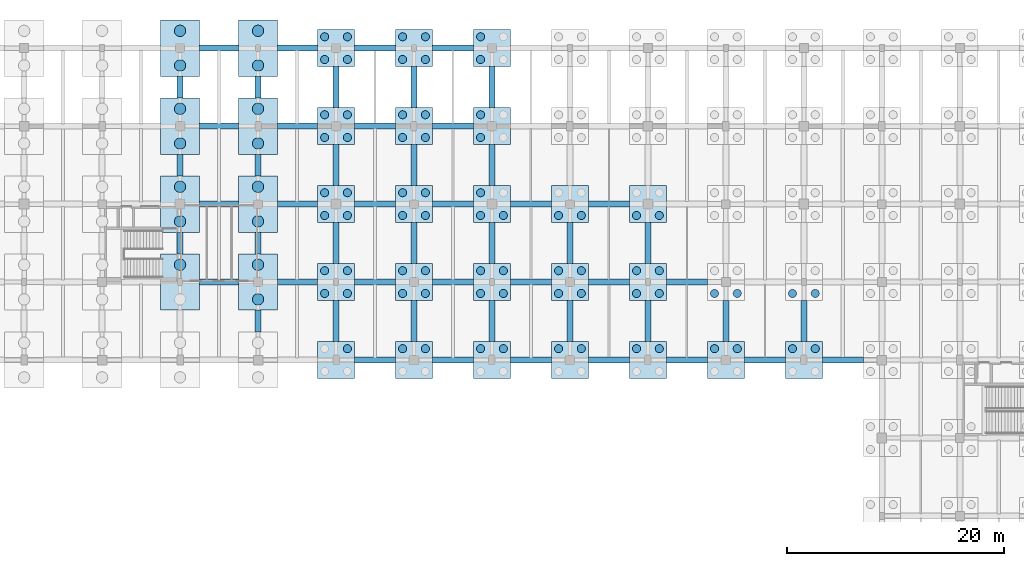
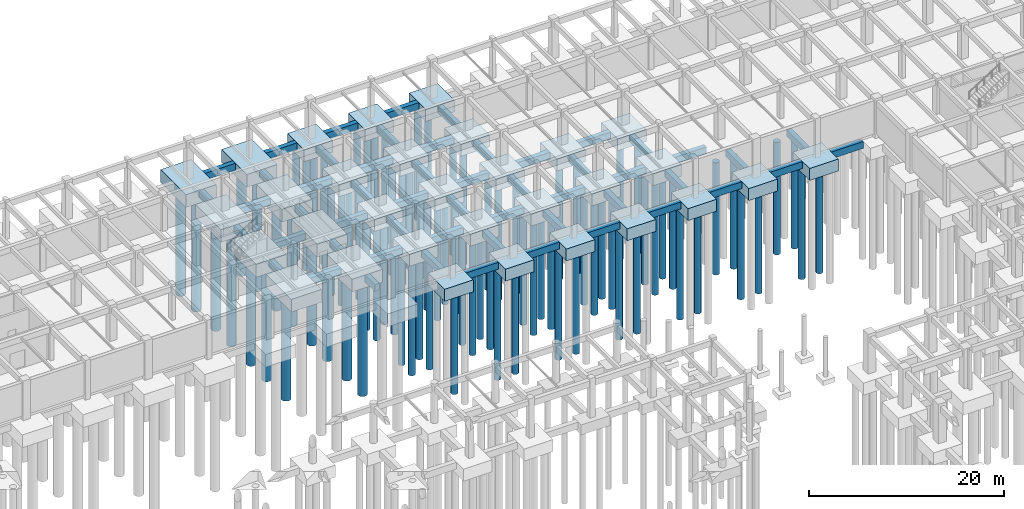
# One storey, part 9 of 47: 87 piles, 84 footings.
"""IFC4 building model written with IfcOpenShell, lengths in metres."""

from ifc_helpers import new_model, si_unit, direction, frame, origin, origin_2d, place, context, subcontext, project, spatial, rectangle, circle, extrude, material, material_profile, profile_set, type_object, element, save


model = new_model("IFC4")

# Units and contexts
model_context = context("Model", 3, precision=1e-05, world=origin(), true_north=direction((0.0, 1.0)))
body_context = subcontext(model_context, "Body", "Model", "MODEL_VIEW")
ifc_project = project(units=[si_unit("LENGTHUNIT", "METRE"), si_unit("AREAUNIT", "SQUARE_METRE"), si_unit("VOLUMEUNIT", "CUBIC_METRE"), si_unit("PLANEANGLEUNIT", "RADIAN"), si_unit("MASSUNIT", "GRAM", prefix="KILO")], contexts=[model_context])

# Site, building, storey
site_placement = place(None, origin())
site = spatial("IfcSite", under=ifc_project, at=site_placement, CompositionType="ELEMENT")
building_placement = place(site_placement, origin())
building = spatial("IfcBuilding", under=site, at=building_placement, Name="Thalmaran Polytechnic", CompositionType="ELEMENT")
storey_placement = place(building_placement, frame((0.0, 0.0, -4.5)))
storey = spatial("IfcBuildingStorey", under=building, at=storey_placement, Name="B1", CompositionType="ELEMENT", Elevation=-4.5)

# Footings
ifc_material_1 = material(Name="Concrete C40/50", Category="concrete")
ifc_material_profile_1 = material_profile(ifc_material_1, rectangle(XDim=0.550048828125, YDim=0.85009765625, at=origin_2d()), Name="RC 550x850")
ifc_profile_set_1 = profile_set([ifc_material_profile_1], Name="Concrete C40/50")
footing_type_1 = type_object("IfcFootingType", Name="FN-GB01", PredefinedType="FOOTING_BEAM", material=ifc_profile_set_1)
footing_1_placement = place(storey_placement, frame((66.60009765625, 100.800048828125, -0.875), z_axis=(1.0, 0.0, 0.0), x_axis=(0.0, 1.0, 0.0)))
element("IfcFooting", 1, at=footing_1_placement, inside=storey, type_object=footing_type_1, Name="Ground Tie Beam B1 X (9,14)", PredefinedType="FOOTING_BEAM", context=body_context, shape_type="SweptSolid", body=[
    extrude(rectangle(XDim=0.550048828125, YDim=0.85009765625, at=origin_2d()), origin(), (0.0, 0.0, 1.0), 3.599853515625),
])
footing_2_placement = place(storey_placement, frame((64.800048828125, 103.39990234375, -0.875), z_axis=(0.0, 1.0, 0.0), x_axis=(-1.0, 0.0, 0.0)))
element("IfcFooting", 2, at=footing_2_placement, inside=storey, type_object=footing_type_1, Name="Ground Tie Beam B1 Y (9,14)", PredefinedType="FOOTING_BEAM", context=body_context, shape_type="SweptSolid", body=[
    extrude(rectangle(XDim=0.550048828125, YDim=0.85009765625, at=origin_2d()), origin(), (0.0, 0.0, 1.0), 2.0),
])
footing_3_placement = place(storey_placement, frame((66.60009765625, 108.0, -0.875), z_axis=(1.0, 0.0, 0.0), x_axis=(0.0, 1.0, 0.0)))
element("IfcFooting", 3, at=footing_3_placement, inside=storey, type_object=footing_type_1, Name="Ground Tie Beam B1 X (9,15)", PredefinedType="FOOTING_BEAM", context=body_context, shape_type="SweptSolid", body=[
    extrude(rectangle(XDim=0.550048828125, YDim=0.85009765625, at=origin_2d()), origin(), (0.0, 0.0, 1.0), 3.599853515625),
])
footing_4_placement = place(storey_placement, frame((64.800048828125, 110.60009765625, -0.875), z_axis=(0.0, 1.0, 0.0), x_axis=(-1.0, 0.0, 0.0)))
element("IfcFooting", 4, at=footing_4_placement, inside=storey, type_object=footing_type_1, Name="Ground Tie Beam B1 Y (9,15)", PredefinedType="FOOTING_BEAM", context=body_context, shape_type="SweptSolid", body=[
    extrude(rectangle(XDim=0.550048828125, YDim=0.85009765625, at=origin_2d()), origin(), (0.0, 0.0, 1.0), 2.0),
])
footing_5_placement = place(storey_placement, frame((66.60009765625, 115.199951171875, -0.875), z_axis=(1.0, 0.0, 0.0), x_axis=(0.0, 1.0, 0.0)))
element("IfcFooting", 5, at=footing_5_placement, inside=storey, type_object=footing_type_1, Name="Ground Tie Beam B1 X (9,16)", PredefinedType="FOOTING_BEAM", context=body_context, shape_type="SweptSolid", body=[
    extrude(rectangle(XDim=0.550048828125, YDim=0.85009765625, at=origin_2d()), origin(), (0.0, 0.0, 1.0), 3.599853515625),
])
footing_6_placement = place(storey_placement, frame((64.800048828125, 117.800048828125, -0.875), z_axis=(0.0, 1.0, 0.0), x_axis=(-1.0, 0.0, 0.0)))
element("IfcFooting", 6, at=footing_6_placement, inside=storey, type_object=footing_type_1, Name="Ground Tie Beam B1 Y (9,16)", PredefinedType="FOOTING_BEAM", context=body_context, shape_type="SweptSolid", body=[
    extrude(rectangle(XDim=0.550048828125, YDim=0.85009765625, at=origin_2d()), origin(), (0.0, 0.0, 1.0), 2.0),
])
footing_7_placement = place(storey_placement, frame((66.60009765625, 122.39990234375, -0.875), z_axis=(1.0, 0.0, 0.0), x_axis=(0.0, 1.0, 0.0)))
element("IfcFooting", 7, at=footing_7_placement, inside=storey, type_object=footing_type_1, Name="Ground Tie Beam B1 X (9,17)", PredefinedType="FOOTING_BEAM", context=body_context, shape_type="SweptSolid", body=[
    extrude(rectangle(XDim=0.550048828125, YDim=0.85009765625, at=origin_2d()), origin(), (0.0, 0.0, 1.0), 3.599853515625),
])
footing_8_placement = place(storey_placement, frame((72.0, 96.199951171875, -0.875), z_axis=(0.0, 1.0, 0.0), x_axis=(-1.0, 0.0, 0.0)))
element("IfcFooting", 8, at=footing_8_placement, inside=storey, type_object=footing_type_1, Name="Ground Tie Beam B1 Y (10,13)", PredefinedType="FOOTING_BEAM", context=body_context, shape_type="SweptSolid", body=[
    extrude(rectangle(XDim=0.550048828125, YDim=0.85009765625, at=origin_2d()), origin(), (0.0, 0.0, 1.0), 2.0),
])
footing_9_placement = place(storey_placement, frame((73.800048828125, 100.800048828125, -0.875), z_axis=(1.0, 0.0, 0.0), x_axis=(0.0, 1.0, 0.0)))
element("IfcFooting", 9, at=footing_9_placement, inside=storey, type_object=footing_type_1, Name="Ground Tie Beam B1 X (10,14)", PredefinedType="FOOTING_BEAM", context=body_context, shape_type="SweptSolid", body=[
    extrude(rectangle(XDim=0.550048828125, YDim=0.85009765625, at=origin_2d()), origin(), (0.0, 0.0, 1.0), 3.699951171875),
])
footing_10_placement = place(storey_placement, frame((72.0, 103.39990234375, -0.875), z_axis=(0.0, 1.0, 0.0), x_axis=(-1.0, 0.0, 0.0)))
element("IfcFooting", 10, at=footing_10_placement, inside=storey, type_object=footing_type_1, Name="Ground Tie Beam B1 Y (10,14)", PredefinedType="FOOTING_BEAM", context=body_context, shape_type="SweptSolid", body=[
    extrude(rectangle(XDim=0.550048828125, YDim=0.85009765625, at=origin_2d()), origin(), (0.0, 0.0, 1.0), 2.0),
])
footing_11_placement = place(storey_placement, frame((73.800048828125, 108.0, -0.875), z_axis=(1.0, 0.0, 0.0), x_axis=(0.0, 1.0, 0.0)))
element("IfcFooting", 11, at=footing_11_placement, inside=storey, type_object=footing_type_1, Name="Ground Tie Beam B1 X (10,15)", PredefinedType="FOOTING_BEAM", context=body_context, shape_type="SweptSolid", body=[
    extrude(rectangle(XDim=0.550048828125, YDim=0.85009765625, at=origin_2d()), origin(), (0.0, 0.0, 1.0), 3.699951171875),
])
footing_12_placement = place(storey_placement, frame((72.0, 110.60009765625, -0.875), z_axis=(0.0, 1.0, 0.0), x_axis=(-1.0, 0.0, 0.0)))
element("IfcFooting", 12, at=footing_12_placement, inside=storey, type_object=footing_type_1, Name="Ground Tie Beam B1 Y (10,15)", PredefinedType="FOOTING_BEAM", context=body_context, shape_type="SweptSolid", body=[
    extrude(rectangle(XDim=0.550048828125, YDim=0.85009765625, at=origin_2d()), origin(), (0.0, 0.0, 1.0), 2.0),
])
footing_13_placement = place(storey_placement, frame((73.800048828125, 115.199951171875, -0.875), z_axis=(1.0, 0.0, 0.0), x_axis=(0.0, 1.0, 0.0)))
element("IfcFooting", 13, at=footing_13_placement, inside=storey, type_object=footing_type_1, Name="Ground Tie Beam B1 X (10,16)", PredefinedType="FOOTING_BEAM", context=body_context, shape_type="SweptSolid", body=[
    extrude(rectangle(XDim=0.550048828125, YDim=0.85009765625, at=origin_2d()), origin(), (0.0, 0.0, 1.0), 3.699951171875),
])
footing_14_placement = place(storey_placement, frame((72.0, 117.800048828125, -0.875), z_axis=(0.0, 1.0, 0.0), x_axis=(-1.0, 0.0, 0.0)))
element("IfcFooting", 14, at=footing_14_placement, inside=storey, type_object=footing_type_1, Name="Ground Tie Beam B1 Y (10,16)", PredefinedType="FOOTING_BEAM", context=body_context, shape_type="SweptSolid", body=[
    extrude(rectangle(XDim=0.550048828125, YDim=0.85009765625, at=origin_2d()), origin(), (0.0, 0.0, 1.0), 2.0),
])
footing_15_placement = place(storey_placement, frame((73.800048828125, 122.39990234375, -0.875), z_axis=(1.0, 0.0, 0.0), x_axis=(0.0, 1.0, 0.0)))
element("IfcFooting", 15, at=footing_15_placement, inside=storey, type_object=footing_type_1, Name="Ground Tie Beam B1 X (10,17)", PredefinedType="FOOTING_BEAM", context=body_context, shape_type="SweptSolid", body=[
    extrude(rectangle(XDim=0.550048828125, YDim=0.85009765625, at=origin_2d()), origin(), (0.0, 0.0, 1.0), 3.699951171875),
])
for number, where, z_axis, x_axis, name in (
    (16, (80.89990234375, 93.60009765625, -0.875), (1.0, 0.0, 0.0), (0.0, 1.0, 0.0), "Ground Tie Beam B1 X (11,13)"),
    (17, (79.199951171875, 95.300048828125, -0.875), (0.0, 1.0, 0.0), (-1.0, 0.0, 0.0), "Ground Tie Beam B1 Y (11,13)"),
    (18, (80.89990234375, 100.800048828125, -0.875), (1.0, 0.0, 0.0), (0.0, 1.0, 0.0), "Ground Tie Beam B1 X (11,14)"),
    (19, (79.199951171875, 102.5, -0.875), (0.0, 1.0, 0.0), (-1.0, 0.0, 0.0), "Ground Tie Beam B1 Y (11,14)"),
    (20, (80.89990234375, 108.0, -0.875), (1.0, 0.0, 0.0), (0.0, 1.0, 0.0), "Ground Tie Beam B1 X (11,15)"),
    (21, (79.199951171875, 109.699951171875, -0.875), (0.0, 1.0, 0.0), (-1.0, 0.0, 0.0), "Ground Tie Beam B1 Y (11,15)"),
    (22, (80.89990234375, 115.199951171875, -0.875), (1.0, 0.0, 0.0), (0.0, 1.0, 0.0), "Ground Tie Beam B1 X (11,16)"),
    (23, (79.199951171875, 116.89990234375, -0.875), (0.0, 1.0, 0.0), (-1.0, 0.0, 0.0), "Ground Tie Beam B1 Y (11,16)"),
    (24, (80.89990234375, 122.39990234375, -0.875), (1.0, 0.0, 0.0), (0.0, 1.0, 0.0), "Ground Tie Beam B1 X (11,17)"),
):
    element("IfcFooting", number, at=place(storey_placement, frame(where, z_axis=z_axis, x_axis=x_axis)), inside=storey, type_object=footing_type_1, Name=name, PredefinedType="FOOTING_BEAM", context=body_context, shape_type="SweptSolid", body=[
        extrude(rectangle(XDim=0.550048828125, YDim=0.85009765625, at=origin_2d()), origin(), (0.0, 0.0, 1.0), 3.800048828125),
    ])
footing_16_placement = place(storey_placement, frame((88.10009765625, 93.60009765625, -0.875), z_axis=(1.0, 0.0, 0.0), x_axis=(0.0, 1.0, 0.0)))
element("IfcFooting", 25, at=footing_16_placement, inside=storey, type_object=footing_type_1, Name="Ground Tie Beam B1 X (12,13)", PredefinedType="FOOTING_BEAM", context=body_context, shape_type="SweptSolid", body=[
    extrude(rectangle(XDim=0.550048828125, YDim=0.85009765625, at=origin_2d()), origin(), (0.0, 0.0, 1.0), 3.7998046875),
])
footing_17_placement = place(storey_placement, frame((86.39990234375, 95.300048828125, -0.875), z_axis=(0.0, 1.0, 0.0), x_axis=(-1.0, 0.0, 0.0)))
element("IfcFooting", 26, at=footing_17_placement, inside=storey, type_object=footing_type_1, Name="Ground Tie Beam B1 Y (12,13)", PredefinedType="FOOTING_BEAM", context=body_context, shape_type="SweptSolid", body=[
    extrude(rectangle(XDim=0.550048828125, YDim=0.85009765625, at=origin_2d()), origin(), (0.0, 0.0, 1.0), 3.800048828125),
])
footing_18_placement = place(storey_placement, frame((88.10009765625, 100.800048828125, -0.875), z_axis=(1.0, 0.0, 0.0), x_axis=(0.0, 1.0, 0.0)))
element("IfcFooting", 27, at=footing_18_placement, inside=storey, type_object=footing_type_1, Name="Ground Tie Beam B1 X (12,14)", PredefinedType="FOOTING_BEAM", context=body_context, shape_type="SweptSolid", body=[
    extrude(rectangle(XDim=0.550048828125, YDim=0.85009765625, at=origin_2d()), origin(), (0.0, 0.0, 1.0), 3.7998046875),
])
footing_19_placement = place(storey_placement, frame((86.39990234375, 102.5, -0.875), z_axis=(0.0, 1.0, 0.0), x_axis=(-1.0, 0.0, 0.0)))
element("IfcFooting", 28, at=footing_19_placement, inside=storey, type_object=footing_type_1, Name="Ground Tie Beam B1 Y (12,14)", PredefinedType="FOOTING_BEAM", context=body_context, shape_type="SweptSolid", body=[
    extrude(rectangle(XDim=0.550048828125, YDim=0.85009765625, at=origin_2d()), origin(), (0.0, 0.0, 1.0), 3.800048828125),
])
footing_20_placement = place(storey_placement, frame((88.10009765625, 108.0, -0.875), z_axis=(1.0, 0.0, 0.0), x_axis=(0.0, 1.0, 0.0)))
element("IfcFooting", 29, at=footing_20_placement, inside=storey, type_object=footing_type_1, Name="Ground Tie Beam B1 X (12,15)", PredefinedType="FOOTING_BEAM", context=body_context, shape_type="SweptSolid", body=[
    extrude(rectangle(XDim=0.550048828125, YDim=0.85009765625, at=origin_2d()), origin(), (0.0, 0.0, 1.0), 3.7998046875),
])
footing_21_placement = place(storey_placement, frame((86.39990234375, 109.699951171875, -0.875), z_axis=(0.0, 1.0, 0.0), x_axis=(-1.0, 0.0, 0.0)))
element("IfcFooting", 30, at=footing_21_placement, inside=storey, type_object=footing_type_1, Name="Ground Tie Beam B1 Y (12,15)", PredefinedType="FOOTING_BEAM", context=body_context, shape_type="SweptSolid", body=[
    extrude(rectangle(XDim=0.550048828125, YDim=0.85009765625, at=origin_2d()), origin(), (0.0, 0.0, 1.0), 3.800048828125),
])
footing_22_placement = place(storey_placement, frame((88.10009765625, 115.199951171875, -0.875), z_axis=(1.0, 0.0, 0.0), x_axis=(0.0, 1.0, 0.0)))
element("IfcFooting", 31, at=footing_22_placement, inside=storey, type_object=footing_type_1, Name="Ground Tie Beam B1 X (12,16)", PredefinedType="FOOTING_BEAM", context=body_context, shape_type="SweptSolid", body=[
    extrude(rectangle(XDim=0.550048828125, YDim=0.85009765625, at=origin_2d()), origin(), (0.0, 0.0, 1.0), 3.7998046875),
])
footing_23_placement = place(storey_placement, frame((86.39990234375, 116.89990234375, -0.875), z_axis=(0.0, 1.0, 0.0), x_axis=(-1.0, 0.0, 0.0)))
element("IfcFooting", 32, at=footing_23_placement, inside=storey, type_object=footing_type_1, Name="Ground Tie Beam B1 Y (12,16)", PredefinedType="FOOTING_BEAM", context=body_context, shape_type="SweptSolid", body=[
    extrude(rectangle(XDim=0.550048828125, YDim=0.85009765625, at=origin_2d()), origin(), (0.0, 0.0, 1.0), 3.800048828125),
])
footing_24_placement = place(storey_placement, frame((88.10009765625, 122.39990234375, -0.875), z_axis=(1.0, 0.0, 0.0), x_axis=(0.0, 1.0, 0.0)))
element("IfcFooting", 33, at=footing_24_placement, inside=storey, type_object=footing_type_1, Name="Ground Tie Beam B1 X (12,17)", PredefinedType="FOOTING_BEAM", context=body_context, shape_type="SweptSolid", body=[
    extrude(rectangle(XDim=0.550048828125, YDim=0.85009765625, at=origin_2d()), origin(), (0.0, 0.0, 1.0), 3.7998046875),
])
for number, where, z_axis, x_axis, name in (
    (34, (95.300048828125, 93.60009765625, -0.875), (1.0, 0.0, 0.0), (0.0, 1.0, 0.0), "Ground Tie Beam B1 X (13,13)"),
    (35, (93.60009765625, 95.300048828125, -0.875), (0.0, 1.0, 0.0), (-1.0, 0.0, 0.0), "Ground Tie Beam B1 Y (13,13)"),
    (36, (95.300048828125, 100.800048828125, -0.875), (1.0, 0.0, 0.0), (0.0, 1.0, 0.0), "Ground Tie Beam B1 X (13,14)"),
    (37, (93.60009765625, 102.5, -0.875), (0.0, 1.0, 0.0), (-1.0, 0.0, 0.0), "Ground Tie Beam B1 Y (13,14)"),
    (38, (95.300048828125, 108.0, -0.875), (1.0, 0.0, 0.0), (0.0, 1.0, 0.0), "Ground Tie Beam B1 X (13,15)"),
    (39, (93.60009765625, 109.699951171875, -0.875), (0.0, 1.0, 0.0), (-1.0, 0.0, 0.0), "Ground Tie Beam B1 Y (13,15)"),
    (40, (93.60009765625, 116.89990234375, -0.875), (0.0, 1.0, 0.0), (-1.0, 0.0, 0.0), "Ground Tie Beam B1 Y (13,16)"),
    (41, (102.5, 93.60009765625, -0.875), (1.0, 0.0, 0.0), (0.0, 1.0, 0.0), "Ground Tie Beam B1 X (14,13)"),
    (42, (100.800048828125, 95.300048828125, -0.875), (0.0, 1.0, 0.0), (-1.0, 0.0, 0.0), "Ground Tie Beam B1 Y (14,13)"),
    (43, (102.5, 100.800048828125, -0.875), (1.0, 0.0, 0.0), (0.0, 1.0, 0.0), "Ground Tie Beam B1 X (14,14)"),
    (44, (100.800048828125, 102.5, -0.875), (0.0, 1.0, 0.0), (-1.0, 0.0, 0.0), "Ground Tie Beam B1 Y (14,14)"),
    (45, (102.5, 108.0, -0.875), (1.0, 0.0, 0.0), (0.0, 1.0, 0.0), "Ground Tie Beam B1 X (14,15)"),
    (46, (109.699951171875, 93.60009765625, -0.875), (1.0, 0.0, 0.0), (0.0, 1.0, 0.0), "Ground Tie Beam B1 X (15,13)"),
    (47, (108.0, 95.300048828125, -0.875), (0.0, 1.0, 0.0), (-1.0, 0.0, 0.0), "Ground Tie Beam B1 Y (15,13)"),
    (48, (109.699951171875, 100.800048828125, -0.875), (1.0, 0.0, 0.0), (0.0, 1.0, 0.0), "Ground Tie Beam B1 X (15,14)"),
    (49, (108.0, 102.5, -0.875), (0.0, 1.0, 0.0), (-1.0, 0.0, 0.0), "Ground Tie Beam B1 Y (15,14)"),
    (50, (116.89990234375, 93.60009765625, -0.875), (1.0, 0.0, 0.0), (0.0, 1.0, 0.0), "Ground Tie Beam B1 X (16,13)"),
    (51, (115.199951171875, 95.300048828125, -0.875), (0.0, 1.0, 0.0), (-1.0, 0.0, 0.0), "Ground Tie Beam B1 Y (16,13)"),
):
    element("IfcFooting", number, at=place(storey_placement, frame(where, z_axis=z_axis, x_axis=x_axis)), inside=storey, type_object=footing_type_1, Name=name, PredefinedType="FOOTING_BEAM", context=body_context, shape_type="SweptSolid", body=[
        extrude(rectangle(XDim=0.550048828125, YDim=0.85009765625, at=origin_2d()), origin(), (0.0, 0.0, 1.0), 3.800048828125),
    ])
footing_25_placement = place(storey_placement, frame((124.10009765625, 93.60009765625, -0.875), z_axis=(1.0, 0.0, 0.0), x_axis=(0.0, 1.0, 0.0)))
element("IfcFooting", 52, at=footing_25_placement, inside=storey, type_object=footing_type_1, Name="Ground Tie Beam B1 X (17,13)", PredefinedType="FOOTING_BEAM", context=body_context, shape_type="SweptSolid", body=[
    extrude(rectangle(XDim=0.550048828125, YDim=0.85009765625, at=origin_2d()), origin(), (0.0, 0.0, 1.0), 3.7998046875),
])
footing_26_placement = place(storey_placement, frame((122.39990234375, 95.300048828125, -0.875), z_axis=(0.0, 1.0, 0.0), x_axis=(-1.0, 0.0, 0.0)))
element("IfcFooting", 53, at=footing_26_placement, inside=storey, type_object=footing_type_1, Name="Ground Tie Beam B1 Y (17,13)", PredefinedType="FOOTING_BEAM", context=body_context, shape_type="SweptSolid", body=[
    extrude(rectangle(XDim=0.550048828125, YDim=0.85009765625, at=origin_2d()), origin(), (0.0, 0.0, 1.0), 3.800048828125),
])
footing_type_2 = type_object("IfcFootingType", Name="FN-PC01", PredefinedType="PILE_CAP", material=ifc_material_1)
for number, where, z_axis, x_axis, name in (
    (54, (79.199951171875, 93.60009765625, -1.949951171875), (0.0, 0.0, 1.0), (1.0, 0.0, 0.0), "Pile Cap PC01 (11,13)"),
    (55, (79.199951171875, 100.800048828125, -1.949951171875), (0.0, 0.0, 1.0), (1.0, 0.0, 0.0), "Pile Cap PC01 (11,14)"),
    (56, (79.199951171875, 108.0, -1.949951171875), (0.0, 0.0, 1.0), (1.0, 0.0, 0.0), "Pile Cap PC01 (11,15)"),
    (57, (79.199951171875, 115.199951171875, -1.949951171875), (0.0, 0.0, 1.0), (1.0, 0.0, 0.0), "Pile Cap PC01 (11,16)"),
    (58, (79.199951171875, 122.39990234375, -1.949951171875), (0.0, 0.0, 1.0), (1.0, 0.0, 0.0), "Pile Cap PC01 (11,17)"),
    (59, (86.39990234375, 93.60009765625, -1.949951171875), (0.0, 0.0, 1.0), (1.0, 0.0, 0.0), "Pile Cap PC01 (12,13)"),
    (60, (86.39990234375, 100.800048828125, -1.949951171875), (0.0, 0.0, 1.0), (1.0, 0.0, 0.0), "Pile Cap PC01 (12,14)"),
    (61, (86.39990234375, 108.0, -1.949951171875), (0.0, 0.0, 1.0), (1.0, 0.0, 0.0), "Pile Cap PC01 (12,15)"),
    (62, (86.39990234375, 115.199951171875, -1.949951171875), (0.0, 0.0, 1.0), (1.0, 0.0, 0.0), "Pile Cap PC01 (12,16)"),
    (63, (86.39990234375, 122.39990234375, -1.949951171875), (0.0, 0.0, 1.0), (1.0, 0.0, 0.0), "Pile Cap PC01 (12,17)"),
    (64, (93.60009765625, 93.60009765625, -1.949951171875), (0.0, 0.0, 1.0), (1.0, 0.0, 0.0), "Pile Cap PC01 (13,13)"),
    (65, (93.60009765625, 100.800048828125, -1.949951171875), (0.0, 0.0, 1.0), (1.0, 0.0, 0.0), "Pile Cap PC01 (13,14)"),
    (66, (93.60009765625, 108.0, -1.949951171875), (0.0, 0.0, 1.0), (1.0, 0.0, 0.0), "Pile Cap PC01 (13,15)"),
    (67, (93.60009765625, 115.199951171875, -1.949951171875), (0.0, 0.0, 1.0), (1.0, 0.0, 0.0), "Pile Cap PC01 (13,16)"),
    (68, (93.60009765625, 122.39990234375, -1.949951171875), (0.0, 0.0, 1.0), (1.0, 0.0, 0.0), "Pile Cap PC01 (13,17)"),
    (69, (100.800048828125, 93.60009765625, -1.949951171875), (0.0, 0.0, 1.0), (1.0, 0.0, 0.0), "Pile Cap PC01 (14,13)"),
    (70, (100.800048828125, 100.800048828125, -1.949951171875), (0.0, 0.0, 1.0), (1.0, 0.0, 0.0), "Pile Cap PC01 (14,14)"),
    (71, (100.800048828125, 108.0, -1.949951171875), (0.0, 0.0, 1.0), (1.0, 0.0, 0.0), "Pile Cap PC01 (14,15)"),
    (72, (108.0, 93.60009765625, -1.949951171875), (0.0, 0.0, 1.0), (1.0, 0.0, 0.0), "Pile Cap PC01 (15,13)"),
    (73, (108.0, 100.800048828125, -1.949951171875), (0.0, 0.0, 1.0), (1.0, 0.0, 0.0), "Pile Cap PC01 (15,14)"),
    (74, (108.0, 108.0, -1.949951171875), (0.0, 0.0, 1.0), (1.0, 0.0, 0.0), "Pile Cap PC01 (15,15)"),
    (75, (115.199951171875, 93.60009765625, -1.949951171875), (0.0, 0.0, 1.0), (1.0, 0.0, 0.0), "Pile Cap PC01 (16,13)"),
    (76, (122.39990234375, 93.60009765625, -1.949951171875), (0.0, 0.0, 1.0), (1.0, 0.0, 0.0), "Pile Cap PC01 (17,13)"),
):
    element("IfcFooting", number, at=place(storey_placement, frame(where, z_axis=z_axis, x_axis=x_axis)), inside=storey, type_object=footing_type_2, Name=name, PredefinedType="PILE_CAP", context=body_context, shape_type="SweptSolid", body=[
        extrude(rectangle(XDim=3.39990234375, YDim=3.39990234375, at=origin_2d()), origin(), (0.0, 0.0, 1.0), 1.5),
    ])
footing_type_3 = type_object("IfcFootingType", Name="FN-PC08", PredefinedType="PILE_CAP", material=ifc_material_1)
for number, where, z_axis, x_axis, name in (
    (77, (64.800048828125, 100.800048828125, -2.050048828125), (0.0, 0.0, 1.0), (1.0, 0.0, 0.0), "Pile Cap PC08 (9,14)"),
    (78, (64.800048828125, 108.0, -2.050048828125), (0.0, 0.0, 1.0), (1.0, 0.0, 0.0), "Pile Cap PC08 (9,15)"),
    (79, (64.800048828125, 115.199951171875, -2.050048828125), (0.0, 0.0, 1.0), (1.0, 0.0, 0.0), "Pile Cap PC08 (9,16)"),
    (80, (64.800048828125, 122.39990234375, -2.050048828125), (0.0, 0.0, 1.0), (1.0, 0.0, 0.0), "Pile Cap PC08 (9,17)"),
    (81, (72.0, 100.800048828125, -2.050048828125), (0.0, 0.0, 1.0), (1.0, 0.0, 0.0), "Pile Cap PC08 (10,14)"),
    (82, (72.0, 108.0, -2.050048828125), (0.0, 0.0, 1.0), (1.0, 0.0, 0.0), "Pile Cap PC08 (10,15)"),
    (83, (72.0, 115.199951171875, -2.050048828125), (0.0, 0.0, 1.0), (1.0, 0.0, 0.0), "Pile Cap PC08 (10,16)"),
    (84, (72.0, 122.39990234375, -2.050048828125), (0.0, 0.0, 1.0), (1.0, 0.0, 0.0), "Pile Cap PC08 (10,17)"),
):
    element("IfcFooting", number, at=place(storey_placement, frame(where, z_axis=z_axis, x_axis=x_axis)), inside=storey, type_object=footing_type_3, Name=name, PredefinedType="PILE_CAP", context=body_context, shape_type="SweptSolid", body=[
        extrude(rectangle(XDim=3.60009765625, YDim=5.199951171875, at=origin_2d()), origin(), (0.0, 0.0, 1.0), 1.60009765625),
    ])

# Piles
ifc_material_2 = material(Name="Concrete C35/45", Category="concrete")
ifc_material_profile_2 = material_profile(ifc_material_2, circle(Radius=0.52490234375, at=origin_2d()), Name="RC 1050 DIA")
ifc_profile_set_2 = profile_set([ifc_material_profile_2], Name="Concrete C35/45")
pile_type_1 = type_object("IfcPileType", Name="PL-BP01", PredefinedType="BORED", material=ifc_profile_set_2)
for number, where, z_axis, x_axis, name in (
    (85, (64.800048828125, 102.39990234375, -2.050048828125), (0.0, 0.0, -1.0), (1.0, 0.0, 0.0), "Bored Pile BP01 (9,14)-2"),
    (86, (64.800048828125, 106.39990234375, -2.050048828125), (0.0, 0.0, -1.0), (1.0, 0.0, 0.0), "Bored Pile BP01 (9,15)-1"),
    (87, (64.800048828125, 109.60009765625, -2.050048828125), (0.0, 0.0, -1.0), (1.0, 0.0, 0.0), "Bored Pile BP01 (9,15)-2"),
    (88, (64.800048828125, 113.60009765625, -2.050048828125), (0.0, 0.0, -1.0), (1.0, 0.0, 0.0), "Bored Pile BP01 (9,16)-1"),
    (89, (64.800048828125, 116.800048828125, -2.050048828125), (0.0, 0.0, -1.0), (1.0, 0.0, 0.0), "Bored Pile BP01 (9,16)-2"),
    (90, (64.800048828125, 120.800048828125, -2.050048828125), (0.0, 0.0, -1.0), (1.0, 0.0, 0.0), "Bored Pile BP01 (9,17)-1"),
    (91, (64.800048828125, 124.0, -2.050048828125), (0.0, 0.0, -1.0), (1.0, 0.0, 0.0), "Bored Pile BP01 (9,17)-2"),
    (92, (72.0, 99.199951171875, -2.050048828125), (0.0, 0.0, -1.0), (1.0, 0.0, 0.0), "Bored Pile BP01 (10,14)-1"),
    (93, (72.0, 102.39990234375, -2.050048828125), (0.0, 0.0, -1.0), (1.0, 0.0, 0.0), "Bored Pile BP01 (10,14)-2"),
    (94, (72.0, 106.39990234375, -2.050048828125), (0.0, 0.0, -1.0), (1.0, 0.0, 0.0), "Bored Pile BP01 (10,15)-1"),
    (95, (72.0, 109.60009765625, -2.050048828125), (0.0, 0.0, -1.0), (1.0, 0.0, 0.0), "Bored Pile BP01 (10,15)-2"),
    (96, (72.0, 113.60009765625, -2.050048828125), (0.0, 0.0, -1.0), (1.0, 0.0, 0.0), "Bored Pile BP01 (10,16)-1"),
    (97, (72.0, 116.800048828125, -2.050048828125), (0.0, 0.0, -1.0), (1.0, 0.0, 0.0), "Bored Pile BP01 (10,16)-2"),
    (98, (72.0, 120.800048828125, -2.050048828125), (0.0, 0.0, -1.0), (1.0, 0.0, 0.0), "Bored Pile BP01 (10,17)-1"),
    (99, (72.0, 124.0, -2.050048828125), (0.0, 0.0, -1.0), (1.0, 0.0, 0.0), "Bored Pile BP01 (10,17)-2"),
):
    element("IfcPile", number, at=place(storey_placement, frame(where, z_axis=z_axis, x_axis=x_axis)), inside=storey, type_object=pile_type_1, Name=name, PredefinedType="BORED", context=body_context, shape_type="SweptSolid", body=[
        extrude(circle(Radius=0.52490234375, at=origin_2d()), origin(), (0.0, 0.0, 1.0), 13.949951171875),
    ])
ifc_material_profile_3 = material_profile(ifc_material_2, circle(Radius=0.375, at=origin_2d()), Name="RC 750 DIA")
ifc_profile_set_3 = profile_set([ifc_material_profile_3], Name="Concrete C35/45")
pile_type_2 = type_object("IfcPileType", Name="PL-BP03", PredefinedType="BORED", material=ifc_profile_set_3)
for number, where, z_axis, x_axis, name in (
    (100, (80.25, 94.64990234375, -1.949951171875), (0.0, 0.0, -1.0), (1.0, 0.0, 0.0), "Bored Pile BP03 (11,13)-4"),
    (101, (78.14990234375, 99.75, -1.949951171875), (0.0, 0.0, -1.0), (1.0, 0.0, 0.0), "Bored Pile BP03 (11,14)-1"),
    (102, (78.14990234375, 101.85009765625, -1.949951171875), (0.0, 0.0, -1.0), (1.0, 0.0, 0.0), "Bored Pile BP03 (11,14)-2"),
    (103, (80.25, 99.75, -1.949951171875), (0.0, 0.0, -1.0), (1.0, 0.0, 0.0), "Bored Pile BP03 (11,14)-3"),
    (104, (80.25, 101.85009765625, -1.949951171875), (0.0, 0.0, -1.0), (1.0, 0.0, 0.0), "Bored Pile BP03 (11,14)-4"),
    (105, (78.14990234375, 106.949951171875, -1.949951171875), (0.0, 0.0, -1.0), (1.0, 0.0, 0.0), "Bored Pile BP03 (11,15)-1"),
    (106, (78.14990234375, 109.050048828125, -1.949951171875), (0.0, 0.0, -1.0), (1.0, 0.0, 0.0), "Bored Pile BP03 (11,15)-2"),
    (107, (80.25, 106.949951171875, -1.949951171875), (0.0, 0.0, -1.0), (1.0, 0.0, 0.0), "Bored Pile BP03 (11,15)-3"),
    (108, (80.25, 109.050048828125, -1.949951171875), (0.0, 0.0, -1.0), (1.0, 0.0, 0.0), "Bored Pile BP03 (11,15)-4"),
    (109, (78.14990234375, 114.14990234375, -1.949951171875), (0.0, 0.0, -1.0), (1.0, 0.0, 0.0), "Bored Pile BP03 (11,16)-1"),
    (110, (78.14990234375, 116.25, -1.949951171875), (0.0, 0.0, -1.0), (1.0, 0.0, 0.0), "Bored Pile BP03 (11,16)-2"),
    (111, (80.25, 114.14990234375, -1.949951171875), (0.0, 0.0, -1.0), (1.0, 0.0, 0.0), "Bored Pile BP03 (11,16)-3"),
    (112, (80.25, 116.25, -1.949951171875), (0.0, 0.0, -1.0), (1.0, 0.0, 0.0), "Bored Pile BP03 (11,16)-4"),
    (113, (78.14990234375, 121.35009765625, -1.949951171875), (0.0, 0.0, -1.0), (1.0, 0.0, 0.0), "Bored Pile BP03 (11,17)-1"),
    (114, (78.14990234375, 123.449951171875, -1.949951171875), (0.0, 0.0, -1.0), (1.0, 0.0, 0.0), "Bored Pile BP03 (11,17)-2"),
    (115, (80.25, 121.35009765625, -1.949951171875), (0.0, 0.0, -1.0), (1.0, 0.0, 0.0), "Bored Pile BP03 (11,17)-3"),
    (116, (80.25, 123.449951171875, -1.949951171875), (0.0, 0.0, -1.0), (1.0, 0.0, 0.0), "Bored Pile BP03 (11,17)-4"),
    (117, (85.35009765625, 94.64990234375, -1.949951171875), (0.0, 0.0, -1.0), (1.0, 0.0, 0.0), "Bored Pile BP03 (12,13)-2"),
    (118, (87.449951171875, 94.64990234375, -1.949951171875), (0.0, 0.0, -1.0), (1.0, 0.0, 0.0), "Bored Pile BP03 (12,13)-4"),
    (119, (85.35009765625, 99.75, -1.949951171875), (0.0, 0.0, -1.0), (1.0, 0.0, 0.0), "Bored Pile BP03 (12,14)-1"),
    (120, (85.35009765625, 101.85009765625, -1.949951171875), (0.0, 0.0, -1.0), (1.0, 0.0, 0.0), "Bored Pile BP03 (12,14)-2"),
    (121, (87.449951171875, 99.75, -1.949951171875), (0.0, 0.0, -1.0), (1.0, 0.0, 0.0), "Bored Pile BP03 (12,14)-3"),
    (122, (87.449951171875, 101.85009765625, -1.949951171875), (0.0, 0.0, -1.0), (1.0, 0.0, 0.0), "Bored Pile BP03 (12,14)-4"),
    (123, (85.35009765625, 106.949951171875, -1.949951171875), (0.0, 0.0, -1.0), (1.0, 0.0, 0.0), "Bored Pile BP03 (12,15)-1"),
    (124, (85.35009765625, 109.050048828125, -1.949951171875), (0.0, 0.0, -1.0), (1.0, 0.0, 0.0), "Bored Pile BP03 (12,15)-2"),
    (125, (87.449951171875, 106.949951171875, -1.949951171875), (0.0, 0.0, -1.0), (1.0, 0.0, 0.0), "Bored Pile BP03 (12,15)-3"),
    (126, (87.449951171875, 109.050048828125, -1.949951171875), (0.0, 0.0, -1.0), (1.0, 0.0, 0.0), "Bored Pile BP03 (12,15)-4"),
    (127, (85.35009765625, 114.14990234375, -1.949951171875), (0.0, 0.0, -1.0), (1.0, 0.0, 0.0), "Bored Pile BP03 (12,16)-1"),
    (128, (85.35009765625, 116.25, -1.949951171875), (0.0, 0.0, -1.0), (1.0, 0.0, 0.0), "Bored Pile BP03 (12,16)-2"),
    (129, (87.449951171875, 114.14990234375, -1.949951171875), (0.0, 0.0, -1.0), (1.0, 0.0, 0.0), "Bored Pile BP03 (12,16)-3"),
    (130, (87.449951171875, 116.25, -1.949951171875), (0.0, 0.0, -1.0), (1.0, 0.0, 0.0), "Bored Pile BP03 (12,16)-4"),
    (131, (85.35009765625, 121.35009765625, -1.949951171875), (0.0, 0.0, -1.0), (1.0, 0.0, 0.0), "Bored Pile BP03 (12,17)-1"),
    (132, (85.35009765625, 123.449951171875, -1.949951171875), (0.0, 0.0, -1.0), (1.0, 0.0, 0.0), "Bored Pile BP03 (12,17)-2"),
    (133, (87.449951171875, 121.35009765625, -1.949951171875), (0.0, 0.0, -1.0), (1.0, 0.0, 0.0), "Bored Pile BP03 (12,17)-3"),
    (134, (87.449951171875, 123.449951171875, -1.949951171875), (0.0, 0.0, -1.0), (1.0, 0.0, 0.0), "Bored Pile BP03 (12,17)-4"),
    (135, (92.550048828125, 94.64990234375, -1.949951171875), (0.0, 0.0, -1.0), (1.0, 0.0, 0.0), "Bored Pile BP03 (13,13)-2"),
    (136, (94.64990234375, 94.64990234375, -1.949951171875), (0.0, 0.0, -1.0), (1.0, 0.0, 0.0), "Bored Pile BP03 (13,13)-4"),
    (137, (92.550048828125, 99.75, -1.949951171875), (0.0, 0.0, -1.0), (1.0, 0.0, 0.0), "Bored Pile BP03 (13,14)-1"),
    (138, (92.550048828125, 101.85009765625, -1.949951171875), (0.0, 0.0, -1.0), (1.0, 0.0, 0.0), "Bored Pile BP03 (13,14)-2"),
    (139, (94.64990234375, 99.75, -1.949951171875), (0.0, 0.0, -1.0), (1.0, 0.0, 0.0), "Bored Pile BP03 (13,14)-3"),
    (140, (94.64990234375, 101.85009765625, -1.949951171875), (0.0, 0.0, -1.0), (1.0, 0.0, 0.0), "Bored Pile BP03 (13,14)-4"),
    (141, (92.550048828125, 106.949951171875, -1.949951171875), (0.0, 0.0, -1.0), (1.0, 0.0, 0.0), "Bored Pile BP03 (13,15)-1"),
    (142, (92.550048828125, 109.050048828125, -1.949951171875), (0.0, 0.0, -1.0), (1.0, 0.0, 0.0), "Bored Pile BP03 (13,15)-2"),
    (143, (94.64990234375, 106.949951171875, -1.949951171875), (0.0, 0.0, -1.0), (1.0, 0.0, 0.0), "Bored Pile BP03 (13,15)-3"),
    (144, (92.550048828125, 114.14990234375, -1.949951171875), (0.0, 0.0, -1.0), (1.0, 0.0, 0.0), "Bored Pile BP03 (13,16)-1"),
    (145, (92.550048828125, 116.25, -1.949951171875), (0.0, 0.0, -1.0), (1.0, 0.0, 0.0), "Bored Pile BP03 (13,16)-2"),
    (146, (92.550048828125, 121.35009765625, -1.949951171875), (0.0, 0.0, -1.0), (1.0, 0.0, 0.0), "Bored Pile BP03 (13,17)-1"),
    (147, (92.550048828125, 123.449951171875, -1.949951171875), (0.0, 0.0, -1.0), (1.0, 0.0, 0.0), "Bored Pile BP03 (13,17)-2"),
    (148, (99.75, 94.64990234375, -1.949951171875), (0.0, 0.0, -1.0), (1.0, 0.0, 0.0), "Bored Pile BP03 (14,13)-2"),
    (149, (101.85009765625, 94.64990234375, -1.949951171875), (0.0, 0.0, -1.0), (1.0, 0.0, 0.0), "Bored Pile BP03 (14,13)-4"),
    (150, (99.75, 99.75, -1.949951171875), (0.0, 0.0, -1.0), (1.0, 0.0, 0.0), "Bored Pile BP03 (14,14)-1"),
    (151, (99.75, 101.85009765625, -1.949951171875), (0.0, 0.0, -1.0), (1.0, 0.0, 0.0), "Bored Pile BP03 (14,14)-2"),
    (152, (101.85009765625, 99.75, -1.949951171875), (0.0, 0.0, -1.0), (1.0, 0.0, 0.0), "Bored Pile BP03 (14,14)-3"),
    (153, (101.85009765625, 101.85009765625, -1.949951171875), (0.0, 0.0, -1.0), (1.0, 0.0, 0.0), "Bored Pile BP03 (14,14)-4"),
    (154, (99.75, 106.949951171875, -1.949951171875), (0.0, 0.0, -1.0), (1.0, 0.0, 0.0), "Bored Pile BP03 (14,15)-1"),
    (155, (101.85009765625, 106.949951171875, -1.949951171875), (0.0, 0.0, -1.0), (1.0, 0.0, 0.0), "Bored Pile BP03 (14,15)-3"),
    (156, (106.949951171875, 94.64990234375, -1.949951171875), (0.0, 0.0, -1.0), (1.0, 0.0, 0.0), "Bored Pile BP03 (15,13)-2"),
    (157, (109.050048828125, 94.64990234375, -1.949951171875), (0.0, 0.0, -1.0), (1.0, 0.0, 0.0), "Bored Pile BP03 (15,13)-4"),
    (158, (106.949951171875, 99.75, -1.949951171875), (0.0, 0.0, -1.0), (1.0, 0.0, 0.0), "Bored Pile BP03 (15,14)-1"),
    (159, (106.949951171875, 101.85009765625, -1.949951171875), (0.0, 0.0, -1.0), (1.0, 0.0, 0.0), "Bored Pile BP03 (15,14)-2"),
    (160, (109.050048828125, 99.75, -1.949951171875), (0.0, 0.0, -1.0), (1.0, 0.0, 0.0), "Bored Pile BP03 (15,14)-3"),
    (161, (109.050048828125, 101.85009765625, -1.949951171875), (0.0, 0.0, -1.0), (1.0, 0.0, 0.0), "Bored Pile BP03 (15,14)-4"),
    (162, (106.949951171875, 106.949951171875, -1.949951171875), (0.0, 0.0, -1.0), (1.0, 0.0, 0.0), "Bored Pile BP03 (15,15)-1"),
    (163, (109.050048828125, 106.949951171875, -1.949951171875), (0.0, 0.0, -1.0), (1.0, 0.0, 0.0), "Bored Pile BP03 (15,15)-3"),
    (164, (114.14990234375, 94.64990234375, -1.949951171875), (0.0, 0.0, -1.0), (1.0, 0.0, 0.0), "Bored Pile BP03 (16,13)-2"),
    (165, (116.25, 94.64990234375, -1.949951171875), (0.0, 0.0, -1.0), (1.0, 0.0, 0.0), "Bored Pile BP03 (16,13)-4"),
    (166, (114.14990234375, 99.75, -1.949951171875), (0.0, 0.0, -1.0), (1.0, 0.0, 0.0), "Bored Pile BP03 (16,14)-1"),
    (167, (116.25, 99.75, -1.949951171875), (0.0, 0.0, -1.0), (1.0, 0.0, 0.0), "Bored Pile BP03 (16,14)-3"),
    (168, (121.35009765625, 94.64990234375, -1.949951171875), (0.0, 0.0, -1.0), (1.0, 0.0, 0.0), "Bored Pile BP03 (17,13)-2"),
    (169, (123.449951171875, 94.64990234375, -1.949951171875), (0.0, 0.0, -1.0), (1.0, 0.0, 0.0), "Bored Pile BP03 (17,13)-4"),
    (170, (121.35009765625, 99.75, -1.949951171875), (0.0, 0.0, -1.0), (1.0, 0.0, 0.0), "Bored Pile BP03 (17,14)-1"),
    (171, (123.449951171875, 99.75, -1.949951171875), (0.0, 0.0, -1.0), (1.0, 0.0, 0.0), "Bored Pile BP03 (17,14)-3"),
):
    element("IfcPile", number, at=place(storey_placement, frame(where, z_axis=z_axis, x_axis=x_axis)), inside=storey, type_object=pile_type_2, Name=name, PredefinedType="BORED", context=body_context, shape_type="SweptSolid", body=[
        extrude(circle(Radius=0.375, at=origin_2d()), origin(), (0.0, 0.0, 1.0), 14.050048828125),
    ])

save(model, "model.ifc")
